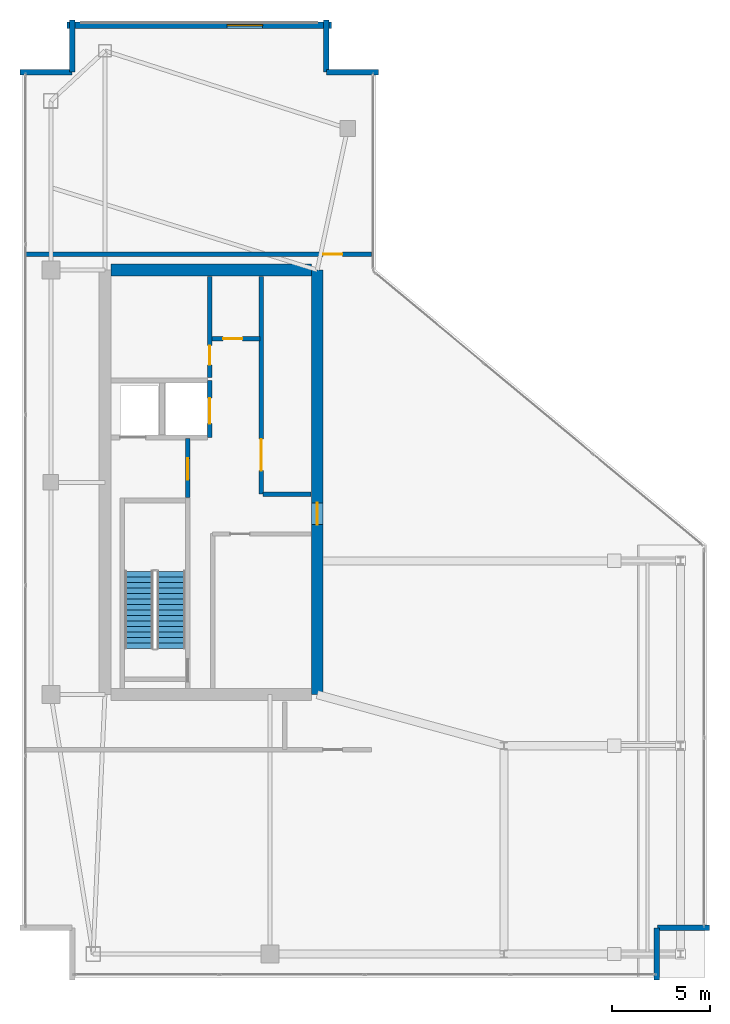
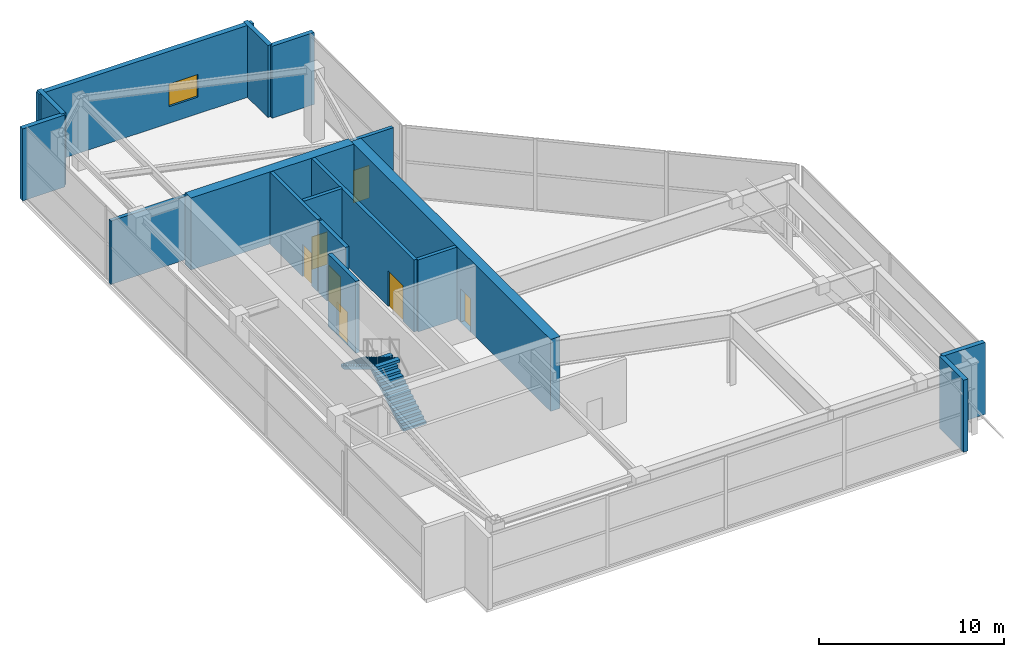
# One storey, part 19 of 21: 16 walls, 7 doors, 2 stair flights, 1 window, 8 openings, 1 element without a shape of its own.
"""IFC4 building model written with IfcOpenShell, lengths in metres."""

import ifcopenshell
import ifcopenshell.guid

model = None  # the IFC model being written
_history = None  # IfcOwnerHistory: only IFC2X3 demands one
_inside = {}  # id of a spatial element -> (the spatial element, [elements in it])
_under = {}  # id of a project, library or spatial element -> (it, [spatial elements below it])
_declared = {}  # id of a project -> (the project, [libraries it declares])
_typed = {}  # id of a type object -> (the type object, [elements of that type])
_made_of = {}  # id of a material, layer set ... -> (it, [elements and type objects made of it])


def new_model(schema):
    """Start an empty IFC model of exactly this schema.

    Asked for "IFC4X3", IfcOpenShell would pick the latest addendum, in which some entities
    have other attributes; the version numbers below select the first issue.
    IFC2X3 requires an IfcOwnerHistory on every rooted entity: one is made here for all.
    """
    global model, _history
    if schema == "IFC4X3":
        model = ifcopenshell.file(schema_version=(4, 3, 0, 0))
    else:
        model = ifcopenshell.file(schema=schema)
    _inside.clear()
    _under.clear()
    _declared.clear()
    _typed.clear()
    _made_of.clear()
    _history = None
    if model.schema == "IFC2X3":
        org = make("IfcOrganization", Name="unknown")
        user = make(
            "IfcPersonAndOrganization",
            ThePerson=make("IfcPerson", FamilyName="unknown"),
            TheOrganization=org,
        )
        app = make(
            "IfcApplication",
            ApplicationDeveloper=org,
            Version="unknown",
            ApplicationFullName="unknown",
            ApplicationIdentifier="unknown",
        )
        _history = make(
            "IfcOwnerHistory",
            OwningUser=user,
            OwningApplication=app,
            ChangeAction="ADDED",
            CreationDate=0,
        )
    return model


def make(cls, **values):
    """One entity of the class cls with the attributes given. An attribute that is None is left unset."""
    return model.create_entity(
        cls, **{name: value for name, value in values.items() if value is not None}
    )


def rooted(cls, **values):
    """An entity with a GlobalId (a new one), such as an element, a storey or a relation."""
    return make(cls, GlobalId=ifcopenshell.guid.new(), OwnerHistory=_history, **values)


def si_unit(unit_type, name, prefix=None):
    """IfcSIUnit, for example si_unit("LENGTHUNIT", "METRE", prefix="MILLI")."""
    return make("IfcSIUnit", UnitType=unit_type, Prefix=prefix, Name=name)


def assignment(units):
    """IfcUnitAssignment: the units of a project."""
    return None if units is None else make("IfcUnitAssignment", Units=units)


def point(xyz):
    """IfcCartesianPoint."""
    return None if xyz is None else make("IfcCartesianPoint", Coordinates=xyz)


def direction(xyz):
    """IfcDirection."""
    return None if xyz is None else make("IfcDirection", DirectionRatios=xyz)


def frame(location, z_axis=None, x_axis=None):
    """IfcAxis2Placement3D, a coordinate frame: its origin and axes. An axis left out is left unset."""
    return make(
        "IfcAxis2Placement3D",
        Location=point(location),
        Axis=direction(z_axis),
        RefDirection=direction(x_axis),
    )


def frame_2d(location, x_axis=None):
    """IfcAxis2Placement2D, a coordinate frame in the plane: its origin and x axis."""
    return make(
        "IfcAxis2Placement2D", Location=point(location), RefDirection=direction(x_axis)
    )


def origin():
    """The frame at (0, 0, 0) with its axes left unset."""
    return frame((0.0, 0.0, 0.0))


def place(relative_to, where):
    """IfcLocalPlacement: puts the frame where relative to a parent placement (None: the world)."""
    return make(
        "IfcLocalPlacement", PlacementRelTo=relative_to, RelativePlacement=where
    )


def context(
    kind, dimensions, precision=None, world=None, true_north=None, identifier=None
):
    """IfcGeometricRepresentationContext, for example the 3D "Model" context."""
    return make(
        "IfcGeometricRepresentationContext",
        ContextIdentifier=identifier,
        ContextType=kind,
        CoordinateSpaceDimension=dimensions,
        Precision=precision,
        WorldCoordinateSystem=world,
        TrueNorth=true_north,
    )


def subcontext(parent, identifier, kind, view, scale=None):
    """IfcGeometricRepresentationSubContext, for example "Body" below "Model"."""
    return make(
        "IfcGeometricRepresentationSubContext",
        ContextIdentifier=identifier,
        ContextType=kind,
        ParentContext=parent,
        TargetScale=scale,
        TargetView=view,
    )


def project(units=None, contexts=None):
    """IfcProject with its units and contexts."""
    return rooted(
        "IfcProject",
        Name="project",
        RepresentationContexts=contexts,
        UnitsInContext=assignment(units),
    )


def spatial(cls, under=None, at=None, **own):
    """A site, building, storey or space (cls), placed at a placement, below another one or the project."""
    s = rooted(cls, ObjectPlacement=at, **own)
    if under is not None:
        _under.setdefault(under.id(), (under, []))[1].append(s)
    return s


def polyline(points):
    """IfcPolyline through the points."""
    return make("IfcPolyline", Points=[point(p) for p in points])


def profile(cls, at=None, kind="AREA", **sizes):
    """A parametric profile (cls). Its sizes go by their IFC names, for example OverallWidth=200.0."""
    return make(cls, ProfileType=kind, Position=at, **sizes)


def rectangle(**sizes):
    """IfcRectangleProfileDef."""
    return profile("IfcRectangleProfileDef", **sizes)


def outline(outer, holes=None, kind="AREA"):
    """IfcArbitraryClosedProfileDef: a profile drawn as a closed curve; with holes, ...WithVoids."""
    if holes is None:
        return make("IfcArbitraryClosedProfileDef", ProfileType=kind, OuterCurve=outer)
    return make(
        "IfcArbitraryProfileDefWithVoids",
        ProfileType=kind,
        OuterCurve=outer,
        InnerCurves=holes,
    )


def extrude(swept, where, along, depth):
    """IfcExtrudedAreaSolid: the profile swept, set in the frame where, extruded along a direction by depth."""
    return make(
        "IfcExtrudedAreaSolid",
        SweptArea=swept,
        Position=where,
        ExtrudedDirection=direction(along),
        Depth=depth,
    )


def shape(context_of_items, identifier, shape_type, items):
    """IfcShapeRepresentation: the items that make up one representation, for example the "Body"."""
    return make(
        "IfcShapeRepresentation",
        ContextOfItems=context_of_items,
        RepresentationIdentifier=identifier,
        RepresentationType=shape_type,
        Items=items,
    )


def material(Name=None, Category=None):
    """IfcMaterial."""
    return make("IfcMaterial", Name=Name, Category=Category)


def layer(
    of_material, thickness, ventilated=None, Name=None, Category=None, Priority=None
):
    """IfcMaterialLayer: one layer of a wall or slab, of a material (None: an air gap)."""
    return make(
        "IfcMaterialLayer",
        Material=of_material,
        LayerThickness=thickness,
        IsVentilated=ventilated,
        Name=Name,
        Category=Category,
        Priority=Priority,
    )


def layer_set(layers, Name=None):
    """IfcMaterialLayerSet."""
    return make("IfcMaterialLayerSet", MaterialLayers=layers, LayerSetName=Name)


def made_of(thing, what):
    """Note that an element or type object is made of a material, layer set ...; save() writes the relation."""
    if what is not None:
        _made_of.setdefault(what.id(), (what, []))[1].append(thing)
    return thing


def type_object(cls, material=None, **own):
    """A type object (cls), such as IfcWallType, which elements share."""
    return made_of(rooted(cls, **own), material)


def element(
    cls,
    number,
    at=None,
    inside=None,
    cuts=None,
    type_object=None,
    material=None,
    context=None,
    identifier="Body",
    shape_type=None,
    held_by="IfcProductDefinitionShape",
    body=None,
    shapes=None,
    **own,
):
    """One element of the class cls, such as IfcWall. Its Tag is "e" and its number.

    at: its placement. inside: the storey or other place that contains it. cuts: it is an
    opening in that element (IfcRelVoidsElement). A single representation is given by context,
    identifier, shape_type and body (its items); several are given by shapes. held_by: the class
    of the entity that holds the representations. save() writes the other relations.
    """
    e = rooted(cls, Tag="e%d" % number, ObjectPlacement=at, **own)
    if body is not None:
        shapes = [shape(context, identifier, shape_type, body)]
    if shapes is not None:
        e.Representation = make(held_by, Representations=shapes)
    if inside is not None:
        _inside.setdefault(inside.id(), (inside, []))[1].append(e)
    if cuts is not None:
        rooted(
            "IfcRelVoidsElement", RelatingBuildingElement=cuts, RelatedOpeningElement=e
        )
    if type_object is not None:
        _typed.setdefault(type_object.id(), (type_object, []))[1].append(e)
    return made_of(e, material)


def fill(opening, filler):
    """IfcRelFillsElement: the door or window that sits in an opening."""
    return rooted(
        "IfcRelFillsElement",
        RelatingOpeningElement=opening,
        RelatedBuildingElement=filler,
    )


def aggregate(whole, parts):
    """IfcRelAggregates: a whole, such as a stair, and the parts it consists of."""
    return rooted("IfcRelAggregates", RelatingObject=whole, RelatedObjects=parts)


def save(model, path):
    """Write the relations noted so far, then the file.

    IfcRelAggregates (storeys below a building ...), IfcRelContainedInSpatialStructure (elements
    in a storey), IfcRelDefinesByType, IfcRelAssociatesMaterial and IfcRelDeclares: one each for
    every whole, place, type object, material and project.
    """
    for whole, parts in _under.values():
        aggregate(whole, parts)
    for where, things in _inside.values():
        rooted(
            "IfcRelContainedInSpatialStructure",
            RelatedElements=things,
            RelatingStructure=where,
        )
    for kind, things in _typed.values():
        rooted("IfcRelDefinesByType", RelatedObjects=things, RelatingType=kind)
    for what, things in _made_of.values():
        rooted("IfcRelAssociatesMaterial", RelatedObjects=things, RelatingMaterial=what)
    for by, libraries in _declared.values():
        rooted("IfcRelDeclares", RelatingContext=by, RelatedDefinitions=libraries)
    model.write(path)


model = new_model("IFC4")

# Units and contexts
model_context = context("Model", 3, precision=1e-05, world=origin(), true_north=direction((0.0, 1.0)))
body_context = subcontext(model_context, "Body", "Model", "MODEL_VIEW")
ifc_project = project(units=[si_unit("LENGTHUNIT", "METRE"), si_unit("AREAUNIT", "SQUARE_METRE"), si_unit("VOLUMEUNIT", "CUBIC_METRE"), si_unit("PLANEANGLEUNIT", "RADIAN"), si_unit("MASSUNIT", "GRAM", prefix="KILO")], contexts=[model_context])

# Site, building, storey
site_placement = place(None, origin())
site = spatial("IfcSite", under=ifc_project, at=site_placement, CompositionType="ELEMENT")
building_placement = place(site_placement, origin())
building = spatial("IfcBuilding", under=site, at=building_placement, Name="Calvorn Quay Hotel", CompositionType="ELEMENT")
storey_placement = place(building_placement, frame((0.0, 0.0, 320.5)))
storey = spatial("IfcBuildingStorey", under=building, at=storey_placement, Name="L79", CompositionType="ELEMENT", Elevation=320.5)

# Wall, opening, door
ifc_material_1 = material(Name="Concrete C45", Category="concrete")
ifc_layer_1 = layer(ifc_material_1, 0.60009765625)
ifc_layer_set_1 = layer_set([ifc_layer_1], Name="WL-CORE-600")
wall_type_1 = type_object("IfcWallType", Name="WL-CORE-600", PredefinedType="SHEAR", material=ifc_layer_set_1)
wall_1_placement = place(storey_placement, frame((15.0, 16.800048828125, 0.0), z_axis=(0.0, 0.0, 1.0), x_axis=(0.0, 1.0, 0.0)))
wall_1 = element("IfcWall", 1, at=wall_1_placement, inside=storey, type_object=wall_type_1, Name="West Core Shear Wall E (L79)", PredefinedType="SHEAR", context=body_context, shape_type="SweptSolid", body=[
    extrude(rectangle(XDim=21.599853515625, YDim=0.60009765625, at=frame_2d((10.7998046875, 0.0))), origin(), (0.0, 0.0, 1.0), 4.760009765625),
])
opening_1_placement = place(wall_1_placement, frame((8.64990234375, 0.0, 0.0)))
opening_1 = element("IfcOpeningElement", 2, at=opening_1_placement, cuts=wall_1, Name="Opening D-L79-CW1", PredefinedType="OPENING", context=body_context, shape_type="SweptSolid", body=[
    extrude(rectangle(XDim=1.10009765625, YDim=2.199951171875, at=frame_2d((0.550048828125, 1.10009765625))), frame((0.0, 0.31005859375, 0.0), z_axis=(0.0, -1.0, 0.0), x_axis=(1.0, 0.0, 0.0)), (0.0, 0.0, 1.0), 0.6201171875),
])
ifc_material_2 = material(Name="Smoke-Sealed Steel Class A Fire Door", Category="steel")
door_type_1 = type_object("IfcDoorType", Name="DR-FFLOBBY-1100", OperationType="NOTDEFINED", PredefinedType="DOOR", material=ifc_material_2)
door_1_placement = place(opening_1_placement, origin())
door_1 = element("IfcDoor", 3, at=door_1_placement, inside=storey, type_object=door_type_1, Name="West Core Vestibule Fire Door (L79)", OperationType="SINGLE_SWING_RIGHT", OverallHeight=2.199951171875, OverallWidth=1.10009765625, PredefinedType="DOOR", context=body_context, shape_type="SweptSolid", body=[
    extrude(rectangle(XDim=1.10009765625, YDim=2.199951171875, at=frame_2d((0.550048828125, 1.10009765625))), frame((0.0, 0.02490234375, 0.0), z_axis=(0.0, -1.0, 0.0), x_axis=(1.0, 0.0, 0.0)), (0.0, 0.0, 1.0), 0.050048828125),
])
fill(opening_1, door_1)

# Walls
wall_2_placement = place(storey_placement, frame((4.5, 38.39990234375, 0.0), z_axis=(0.0, 0.0, 1.0), x_axis=(1.0, 0.0, 0.0)))
element("IfcWall", 4, at=wall_2_placement, inside=storey, type_object=wall_type_1, Name="West Core Shear Wall N (L79)", PredefinedType="SHEAR", context=body_context, shape_type="SweptSolid", body=[
    extrude(rectangle(XDim=10.199951171875, YDim=0.60009765625, at=frame_2d((5.10009765625, 0.0))), origin(), (0.0, 0.0, 1.0), 4.760009765625),
])
ifc_material_3 = material(Name="Concrete C40", Category="concrete")
ifc_layer_2 = layer(ifc_material_3, 0.320068359375)
ifc_layer_set_2 = layer_set([ifc_layer_2], Name="WL-EXT-SPANDREL-320")
wall_type_2 = type_object("IfcWallType", Name="WL-EXT-SPANDREL-320", PredefinedType="SOLIDWALL", material=ifc_layer_set_2)
for number, where, z_axis, x_axis, name in (
    (5, (32.282958984375, 2.280029296875, 0.0), (0.0, 0.0, 1.0), (0.0, 1.0, 0.0), "Crown Notched Corner Spandrel L79-C3"),
    (6, (32.31298828125, 4.949951171875, 0.0), (0.0, 0.0, 1.0), (1.0, 0.0, 0.0), "Crown Notched Corner Spandrel L79-C4"),
):
    element("IfcWall", number, at=place(storey_placement, frame(where, z_axis=z_axis, x_axis=x_axis)), inside=storey, type_object=wall_type_2, Name=name, PredefinedType="SOLIDWALL", context=body_context, shape_type="SweptSolid", body=[
        extrude(rectangle(XDim=2.639892578125, YDim=0.280029296875, at=frame_2d((1.31982421875, 0.0))), origin(), (0.0, 0.0, 1.0), 4.760009765625),
    ])
for number, where, z_axis, x_axis, name in (
    (7, (18.1201171875, 48.449951171875, 0.0), (0.0, 0.0, 1.0), (-1.0, 0.0, 0.0), "Crown Notched Corner Spandrel L79-C5"),
    (8, (15.449951171875, 48.47998046875, 0.0), (0.0, 0.0, 1.0), (0.0, 1.0, 0.0), "Crown Notched Corner Spandrel L79-C6"),
):
    element("IfcWall", number, at=place(storey_placement, frame(where, z_axis=z_axis, x_axis=x_axis)), inside=storey, type_object=wall_type_2, Name=name, PredefinedType="SOLIDWALL", context=body_context, shape_type="SweptSolid", body=[
        extrude(rectangle(XDim=2.64013671875, YDim=0.280029296875, at=frame_2d((1.320068359375, 0.0))), origin(), (0.0, 0.0, 1.0), 4.760009765625),
    ])

# Wall, opening, window
wall_3_placement = place(storey_placement, frame((15.719970703125, 50.85009765625, 0.0), z_axis=(0.0, 0.0, 1.0), x_axis=(-1.0, 0.0, 0.0)))
wall_3 = element("IfcWall", 9, at=wall_3_placement, inside=storey, type_object=wall_type_2, Name="Crown North Louvred Plant Wall (L79)", PredefinedType="SOLIDWALL", context=body_context, shape_type="SweptSolid", body=[
    extrude(rectangle(XDim=13.43994140625, YDim=0.320068359375, at=frame_2d((6.719970703125, 0.0))), origin(), (0.0, 0.0, 1.0), 4.760009765625),
])
opening_2_placement = place(wall_3_placement, frame((3.5, 0.0, 1.10009765625)))
opening_2 = element("IfcOpeningElement", 10, at=opening_2_placement, cuts=wall_3, Name="Opening WPL-L79-1", PredefinedType="OPENING", context=body_context, shape_type="SweptSolid", body=[
    extrude(rectangle(XDim=1.800048828125, YDim=1.5, at=frame_2d((0.89990234375, 0.75))), frame((0.0, 0.169921875, 0.0), z_axis=(0.0, -1.0, 0.0), x_axis=(1.0, 0.0, 0.0)), (0.0, 0.0, 1.0), 0.340087890625),
])
ifc_material_4 = material(Name="Acoustic Weatherproof Aluminium Louvre Unit", Category="aluminium")
window_type = type_object("IfcWindowType", Name="WIN-PLANT-LOUVRE-1800x1500", PartitioningType="SINGLE_PANEL", PredefinedType="WINDOW", material=ifc_material_4)
window_placement = place(opening_2_placement, origin())
window = element("IfcWindow", 11, at=window_placement, inside=storey, type_object=window_type, Name="Crown Plant Acoustic Louvre (L79)", OverallHeight=1.5, OverallWidth=1.800048828125, PartitioningType="SINGLE_PANEL", PredefinedType="WINDOW", context=body_context, shape_type="SweptSolid", body=[
    extrude(rectangle(XDim=1.800048828125, YDim=1.5, at=frame_2d((0.89990234375, 0.75))), frame((0.0, 0.030029296875, 0.0), z_axis=(0.0, -1.0, 0.0), x_axis=(1.0, 0.0, 0.0)), (0.0, 0.0, 1.0), 0.06005859375),
])
fill(opening_2, window)

# Walls
for number, where, z_axis, x_axis, name in (
    (12, (2.550048828125, 51.1201171875, 0.0), (0.0, 0.0, 1.0), (0.0, -1.0, 0.0), "Crown Notched Corner Spandrel L79-C7"),
    (13, (2.52001953125, 48.449951171875, 0.0), (0.0, 0.0, 1.0), (-1.0, 0.0, 0.0), "Crown Notched Corner Spandrel L79-C8"),
):
    element("IfcWall", number, at=place(storey_placement, frame(where, z_axis=z_axis, x_axis=x_axis)), inside=storey, type_object=wall_type_2, Name=name, PredefinedType="SOLIDWALL", context=body_context, shape_type="SweptSolid", body=[
        extrude(rectangle(XDim=2.64013671875, YDim=0.280029296875, at=frame_2d((1.320068359375, 0.0))), origin(), (0.0, 0.0, 1.0), 4.760009765625),
    ])

# Wall, opening, door
ifc_material_5 = material(Name="Autoclaved Aerated Masonry Block", Category="masonry")
ifc_layer_3 = layer(ifc_material_5, 0.219970703125)
ifc_layer_set_3 = layer_set([ifc_layer_3], Name="WL-LOBBY-FIRE-220")
wall_type_3 = type_object("IfcWallType", Name="WL-LOBBY-FIRE-220", PredefinedType="SOLIDWALL", material=ifc_layer_set_3)
wall_4_placement = place(storey_placement, frame((9.5400390625, 32.919921875, 0.0), z_axis=(0.0, 0.0, 1.0), x_axis=(0.0, 1.0, 0.0)))
wall_4 = element("IfcWall", 14, at=wall_4_placement, inside=storey, type_object=wall_type_3, Name="Partition Wall L79-WL-CWW-K-E", PredefinedType="SOLIDWALL", context=body_context, shape_type="SweptSolid", body=[
    extrude(rectangle(XDim=5.16015625, YDim=0.219970703125, at=frame_2d((2.580078125, 0.0))), origin(), (0.0, 0.0, 1.0), 4.760009765625),
])
opening_3_placement = place(wall_4_placement, frame((0.64990234375, 0.0, 0.0)))
opening_3 = element("IfcOpeningElement", 15, at=opening_3_placement, cuts=wall_4, Name="Opening D-L79-CK1", PredefinedType="OPENING", context=body_context, shape_type="SweptSolid", body=[
    extrude(rectangle(XDim=0.97998046875, YDim=2.14990234375, at=frame_2d((0.489990234375, 1.074951171875))), frame((0.0, 0.119873046875, 0.0), z_axis=(0.0, -1.0, 0.0), x_axis=(1.0, 0.0, 0.0)), (0.0, 0.0, 1.0), 0.239990234375),
])
ifc_material_6 = material(Name="Painted Steel Housekeeping/Riser Fire Door", Category="steel")
door_type_2 = type_object("IfcDoorType", Name="DR-SERVICE-980", OperationType="NOTDEFINED", PredefinedType="DOOR", material=ifc_material_6)
door_2_placement = place(opening_3_placement, origin())
door_2 = element("IfcDoor", 16, at=door_2_placement, inside=storey, type_object=door_type_2, Name="Core Linen Room Door (L79)", OperationType="SINGLE_SWING_LEFT", OverallHeight=2.14990234375, OverallWidth=0.97998046875, PredefinedType="DOOR", context=body_context, shape_type="SweptSolid", body=[
    extrude(rectangle(XDim=0.97998046875, YDim=2.14990234375, at=frame_2d((0.489990234375, 1.074951171875))), frame((0.0, 0.02490234375, 0.0), z_axis=(0.0, -1.0, 0.0), x_axis=(1.0, 0.0, 0.0)), (0.0, 0.0, 1.0), 0.050048828125),
])
fill(opening_3, door_2)

wall_5_placement = place(storey_placement, frame((12.14990234375, 27.0, 0.0), z_axis=(0.0, 0.0, 1.0), x_axis=(0.0, 1.0, 0.0)))
wall_5 = element("IfcWall", 17, at=wall_5_placement, inside=storey, type_object=wall_type_3, Name="Partition Wall L79-WL-CWW-OV-W", PredefinedType="SOLIDWALL", context=body_context, shape_type="SweptSolid", body=[
    extrude(rectangle(XDim=11.080078125, YDim=0.219970703125, at=frame_2d((5.5400390625, 0.0))), origin(), (0.0, 0.0, 1.0), 4.760009765625),
])
opening_4_placement = place(wall_5_placement, frame((1.199951171875, 0.0, 0.0)))
opening_4 = element("IfcOpeningElement", 18, at=opening_4_placement, cuts=wall_5, Name="Opening D-L79-OV1", PredefinedType="OPENING", context=body_context, shape_type="SweptSolid", body=[
    extrude(rectangle(XDim=1.60009765625, YDim=2.35009765625, at=frame_2d((0.800048828125, 1.175048828125))), frame((0.0, 0.119873046875, 0.0), z_axis=(0.0, -1.0, 0.0), x_axis=(1.0, 0.0, 0.0)), (0.0, 0.0, 1.0), 0.239990234375),
])
ifc_material_7 = material(Name="Heavy-Duty Steel Acoustic Plant Fire Door", Category="steel")
door_type_3 = type_object("IfcDoorType", Name="DR-PLANT-DBL-1600", OperationType="NOTDEFINED", PredefinedType="DOOR", material=ifc_material_7)
door_3_placement = place(opening_4_placement, origin())
door_3 = element("IfcDoor", 19, at=door_3_placement, inside=storey, type_object=door_type_3, Name="Lift Machine Plant Door (L79)", OperationType="SINGLE_SWING_LEFT", OverallHeight=2.35009765625, OverallWidth=1.60009765625, PredefinedType="DOOR", context=body_context, shape_type="SweptSolid", body=[
    extrude(rectangle(XDim=1.60009765625, YDim=2.35009765625, at=frame_2d((0.800048828125, 1.175048828125))), frame((0.0, 0.02490234375, 0.0), z_axis=(0.0, -1.0, 0.0), x_axis=(1.0, 0.0, 0.0)), (0.0, 0.0, 1.0), 0.050048828125),
])
fill(opening_4, door_3)

# Wall
wall_6_placement = place(storey_placement, frame((12.25, 27.0, 0.0), z_axis=(0.0, 0.0, 1.0), x_axis=(1.0, 0.0, 0.0)))
element("IfcWall", 20, at=wall_6_placement, inside=storey, type_object=wall_type_3, Name="Partition Wall L79-WL-CWW-OV-S", PredefinedType="SOLIDWALL", context=body_context, shape_type="SweptSolid", body=[
    extrude(rectangle(XDim=2.429931640625, YDim=0.219970703125, at=frame_2d((1.21484375, 0.0))), origin(), (0.0, 0.0, 1.0), 4.760009765625),
])

# Wall, opening, door
wall_7_placement = place(storey_placement, frame((9.659912109375, 34.89990234375, 0.0), z_axis=(0.0, 0.0, 1.0), x_axis=(1.0, 0.0, 0.0)))
wall_7 = element("IfcWall", 21, at=wall_7_placement, inside=storey, type_object=wall_type_3, Name="Partition Wall L79-WL-CWW-OV-H2S", PredefinedType="SOLIDWALL", context=body_context, shape_type="SweptSolid", body=[
    extrude(rectangle(XDim=2.420166015625, YDim=0.219970703125, at=frame_2d((1.2099609375, 0.0))), origin(), (0.0, 0.0, 1.0), 4.760009765625),
])
opening_5_placement = place(wall_7_placement, frame((0.550048828125, 0.0, 0.0)))
opening_5 = element("IfcOpeningElement", 22, at=opening_5_placement, cuts=wall_7, Name="Opening D-L79-OV2", PredefinedType="OPENING", context=body_context, shape_type="SweptSolid", body=[
    extrude(rectangle(XDim=0.97998046875, YDim=2.14990234375, at=frame_2d((0.489990234375, 1.074951171875))), frame((0.0, 0.119873046875, 0.0), z_axis=(0.0, -1.0, 0.0), x_axis=(1.0, 0.0, 0.0)), (0.0, 0.0, 1.0), 0.239990234375),
])
door_4_placement = place(opening_5_placement, origin())
door_4 = element("IfcDoor", 23, at=door_4_placement, inside=storey, type_object=door_type_2, Name="Pressurization Closet Door (L79)", OperationType="SINGLE_SWING_RIGHT", OverallHeight=2.14990234375, OverallWidth=0.97998046875, PredefinedType="DOOR", context=body_context, shape_type="SweptSolid", body=[
    extrude(rectangle(XDim=0.97998046875, YDim=2.14990234375, at=frame_2d((0.489990234375, 1.074951171875))), frame((0.0, 0.02490234375, 0.0), z_axis=(0.0, -1.0, 0.0), x_axis=(1.0, 0.0, 0.0)), (0.0, 0.0, 1.0), 0.050048828125),
])
fill(opening_5, door_4)

wall_8_placement = place(storey_placement, frame((0.080078125, 39.199951171875, 0.0), z_axis=(0.0, 0.0, 1.0), x_axis=(1.0, 0.0, 0.0)))
wall_8 = element("IfcWall", 24, at=wall_8_placement, inside=storey, type_object=wall_type_3, Name="Partition Wall L79-WL-CR-N", PredefinedType="SOLIDWALL", context=body_context, shape_type="SweptSolid", body=[
    extrude(rectangle(XDim=17.669921875, YDim=0.219970703125, at=frame_2d((8.8349609375, 0.0))), origin(), (0.0, 0.0, 1.0), 4.18994140625),
])
opening_6_placement = place(wall_8_placement, frame((15.219970703125, 0.0, 0.0)))
opening_6 = element("IfcOpeningElement", 25, at=opening_6_placement, cuts=wall_8, Name="Opening D-L79-C2", PredefinedType="OPENING", context=body_context, shape_type="SweptSolid", body=[
    extrude(rectangle(XDim=0.97998046875, YDim=2.14990234375, at=frame_2d((0.489990234375, 1.074951171875))), frame((0.0, 0.119873046875, 0.0), z_axis=(0.0, -1.0, 0.0), x_axis=(1.0, 0.0, 0.0)), (0.0, 0.0, 1.0), 0.239990234375),
])
door_5_placement = place(opening_6_placement, origin())
door_5 = element("IfcDoor", 26, at=door_5_placement, inside=storey, type_object=door_type_2, Name="Pressurization Plant Room Door", OperationType="SINGLE_SWING_RIGHT", OverallHeight=2.14990234375, OverallWidth=0.97998046875, PredefinedType="DOOR", context=body_context, shape_type="SweptSolid", body=[
    extrude(rectangle(XDim=0.97998046875, YDim=2.14990234375, at=frame_2d((0.489990234375, 1.074951171875))), frame((0.0, 0.02490234375, 0.0), z_axis=(0.0, -1.0, 0.0), x_axis=(1.0, 0.0, 0.0)), (0.0, 0.0, 1.0), 0.050048828125),
])
fill(opening_6, door_5)

ifc_material_8 = material(Name="Concrete C40", Category="concrete")
ifc_layer_4 = layer(ifc_material_8, 0.239990234375)
ifc_layer_set_4 = layer_set([ifc_layer_4], Name="WL-SHAFT-240")
wall_type_4 = type_object("IfcWallType", Name="WL-SHAFT-240", PredefinedType="SOLIDWALL", material=ifc_layer_set_4)
wall_9_placement = place(storey_placement, frame((8.419921875, 26.820068359375, 0.0), z_axis=(0.0, 0.0, 1.0), x_axis=(0.0, 1.0, 0.0)))
wall_9 = element("IfcWall", 27, at=wall_9_placement, inside=storey, type_object=wall_type_4, Name="Partition Wall L79-WL-CWW-FFL-E", PredefinedType="SOLIDWALL", context=body_context, shape_type="SweptSolid", body=[
    extrude(rectangle(XDim=3.0, YDim=0.239990234375, at=frame_2d((1.5, 0.0))), origin(), (0.0, 0.0, 1.0), 4.760009765625),
])
opening_7_placement = place(wall_9_placement, frame((0.89990234375, 0.0, 0.0)))
opening_7 = element("IfcOpeningElement", 28, at=opening_7_placement, cuts=wall_9, Name="Opening D-L79-FLW", PredefinedType="OPENING", context=body_context, shape_type="SweptSolid", body=[
    extrude(rectangle(XDim=1.10009765625, YDim=2.199951171875, at=frame_2d((0.550048828125, 1.10009765625))), frame((0.0, 0.1298828125, 0.0), z_axis=(0.0, -1.0, 0.0), x_axis=(1.0, 0.0, 0.0)), (0.0, 0.0, 1.0), 0.260009765625),
])
door_6_placement = place(opening_7_placement, origin())
door_6 = element("IfcDoor", 29, at=door_6_placement, inside=storey, type_object=door_type_1, Name="West Firefighting Lobby Fire Door (L79)", OperationType="SINGLE_SWING_RIGHT", OverallHeight=2.199951171875, OverallWidth=1.10009765625, PredefinedType="DOOR", context=body_context, shape_type="SweptSolid", body=[
    extrude(rectangle(XDim=1.10009765625, YDim=2.199951171875, at=frame_2d((0.550048828125, 1.10009765625))), frame((0.0, 0.02490234375, 0.0), z_axis=(0.0, -1.0, 0.0), x_axis=(1.0, 0.0, 0.0)), (0.0, 0.0, 1.0), 0.050048828125),
])
fill(opening_7, door_6)

wall_10_placement = place(storey_placement, frame((9.5400390625, 29.8798828125, 0.0), z_axis=(0.0, 0.0, 1.0), x_axis=(0.0, 1.0, 0.0)))
wall_10 = element("IfcWall", 30, at=wall_10_placement, inside=storey, type_object=wall_type_4, Name="Partition Wall L79-WL-CWW-SLW-E", PredefinedType="SOLIDWALL", context=body_context, shape_type="SweptSolid", body=[
    extrude(rectangle(XDim=2.900146484375, YDim=0.239990234375, at=frame_2d((1.4501953125, 0.0))), origin(), (0.0, 0.0, 1.0), 4.760009765625),
])
opening_8_placement = place(wall_10_placement, frame((0.699951171875, 0.0, 0.0)))
opening_8 = element("IfcOpeningElement", 31, at=opening_8_placement, cuts=wall_10, Name="Opening LD-L79-SLW1", PredefinedType="OPENING", context=body_context, shape_type="SweptSolid", body=[
    extrude(rectangle(XDim=1.300048828125, YDim=2.35009765625, at=frame_2d((0.64990234375, 1.175048828125))), frame((0.0, 0.1298828125, 0.0), z_axis=(0.0, -1.0, 0.0), x_axis=(1.0, 0.0, 0.0)), (0.0, 0.0, 1.0), 0.260009765625),
])
ifc_material_9 = material(Name="Champagne-Bronze Sliding Express Lift Landing Door")
door_type_4 = type_object("IfcDoorType", Name="DR-LIFT-SHUTTLE-1300", OperationType="NOTDEFINED", PredefinedType="DOOR", material=ifc_material_9)
door_7_placement = place(opening_8_placement, origin())
door_7 = element("IfcDoor", 32, at=door_7_placement, inside=storey, type_object=door_type_4, Name="Service Lift SL-W1 Landing Door (L79)", OperationType="DOUBLE_DOOR_SLIDING", OverallHeight=2.35009765625, OverallWidth=1.300048828125, PredefinedType="DOOR", context=body_context, shape_type="SweptSolid", body=[
    extrude(rectangle(XDim=1.300048828125, YDim=2.35009765625, at=frame_2d((0.64990234375, 1.175048828125))), frame((0.0, 0.02490234375, 0.0), z_axis=(0.0, -1.0, 0.0), x_axis=(1.0, 0.0, 0.0)), (0.0, 0.0, 1.0), 0.050048828125),
])
fill(opening_8, door_7)

# Stair, stair flights
ifc_material_10 = material(Name="Concrete C40", Category="concrete")
stair_type = type_object("IfcStairType", Name="STR-CORE-DOGLEG", PredefinedType="HALF_TURN_STAIR", material=ifc_material_10)
stair_placement = place(storey_placement, origin())
stair = element("IfcStair", 33, at=stair_placement, inside=storey, type_object=stair_type, Name="L79 ST-W", PredefinedType="HALF_TURN_STAIR")
ifc_material_11 = material(Name="Concrete C40", Category="concrete")
stair_flight_type = type_object("IfcStairFlightType", Name="FLT-CORE-1550", PredefinedType="STRAIGHT", material=ifc_material_11)
stair_flight_1_placement = place(storey_placement, frame((7.574951171875, 19.14990234375, 0.0), z_axis=(0.0, 0.0, 1.0), x_axis=(0.0, 1.0, 0.0)))
stair_flight_1 = element("IfcStairFlight", 34, at=stair_flight_1_placement, type_object=stair_flight_type, Name="ST-W flight 1", NumberOfRisers=15, NumberOfTreads=14, PredefinedType="STRAIGHT", RiserHeight=0.166666667, TreadLength=0.28, context=body_context, shape_type="SweptSolid", body=[
    extrude(outline(polyline([(0.0, 0.0), (0.0, 0.166748046875), (0.280029296875, 0.166748046875), (0.280029296875, 0.333251953125), (0.56005859375, 0.333251953125), (0.56005859375, 0.5), (0.840087890625, 0.5), (0.840087890625, 0.666748046875), (1.1201171875, 0.666748046875), (1.1201171875, 0.833251953125), (1.39990234375, 0.833251953125), (1.39990234375, 1.0), (1.679931640625, 1.0), (1.679931640625, 1.166748046875), (1.9599609375, 1.166748046875), (1.9599609375, 1.333251953125), (2.239990234375, 1.333251953125), (2.239990234375, 1.5), (2.52001953125, 1.5), (2.52001953125, 1.666748046875), (2.800048828125, 1.666748046875), (2.800048828125, 1.833251953125), (3.080078125, 1.833251953125), (3.080078125, 2.0), (3.360107421875, 2.0), (3.360107421875, 2.166748046875), (3.639892578125, 2.166748046875), (3.639892578125, 2.333251953125), (3.919921875, 2.333251953125), (3.919921875, 2.5), (3.919921875, 2.158935546875), (0.29296875, 0.0), (0.0, 0.0)])), frame((0.0, 0.72509765625, 0.0), z_axis=(0.0, -1.0, 0.0), x_axis=(1.0, 0.0, 0.0)), (0.0, 0.0, 1.0), 1.449951171875),
])
stair_flight_2_placement = place(storey_placement, frame((5.925048828125, 23.070068359375, 2.5), z_axis=(0.0, 0.0, 1.0), x_axis=(0.0, -1.0, 0.0)))
stair_flight_2 = element("IfcStairFlight", 35, at=stair_flight_2_placement, type_object=stair_flight_type, Name="ST-W flight 2", NumberOfRisers=15, NumberOfTreads=14, PredefinedType="STRAIGHT", RiserHeight=0.166666667, TreadLength=0.28, context=body_context, shape_type="SweptSolid", body=[
    extrude(outline(polyline([(0.0, 0.0), (0.0, 0.166748046875), (0.280029296875, 0.166748046875), (0.280029296875, 0.333251953125), (0.56005859375, 0.333251953125), (0.56005859375, 0.5), (0.840087890625, 0.5), (0.840087890625, 0.666748046875), (1.1201171875, 0.666748046875), (1.1201171875, 0.833251953125), (1.39990234375, 0.833251953125), (1.39990234375, 1.0), (1.679931640625, 1.0), (1.679931640625, 1.166748046875), (1.9599609375, 1.166748046875), (1.9599609375, 1.333251953125), (2.239990234375, 1.333251953125), (2.239990234375, 1.5), (2.52001953125, 1.5), (2.52001953125, 1.666748046875), (2.800048828125, 1.666748046875), (2.800048828125, 1.833251953125), (3.080078125, 1.833251953125), (3.080078125, 2.0), (3.360107421875, 2.0), (3.360107421875, 2.166748046875), (3.639892578125, 2.166748046875), (3.639892578125, 2.333251953125), (3.919921875, 2.333251953125), (3.919921875, 2.5), (3.919921875, 2.158935546875), (0.29296875, 0.0), (0.0, 0.0)])), frame((0.0, 0.72509765625, 0.0), z_axis=(0.0, -1.0, 0.0), x_axis=(1.0, 0.0, 0.0)), (0.0, 0.0, 1.0), 1.449951171875),
])
aggregate(stair, [stair_flight_1, stair_flight_2])

save(model, "model.ifc")
